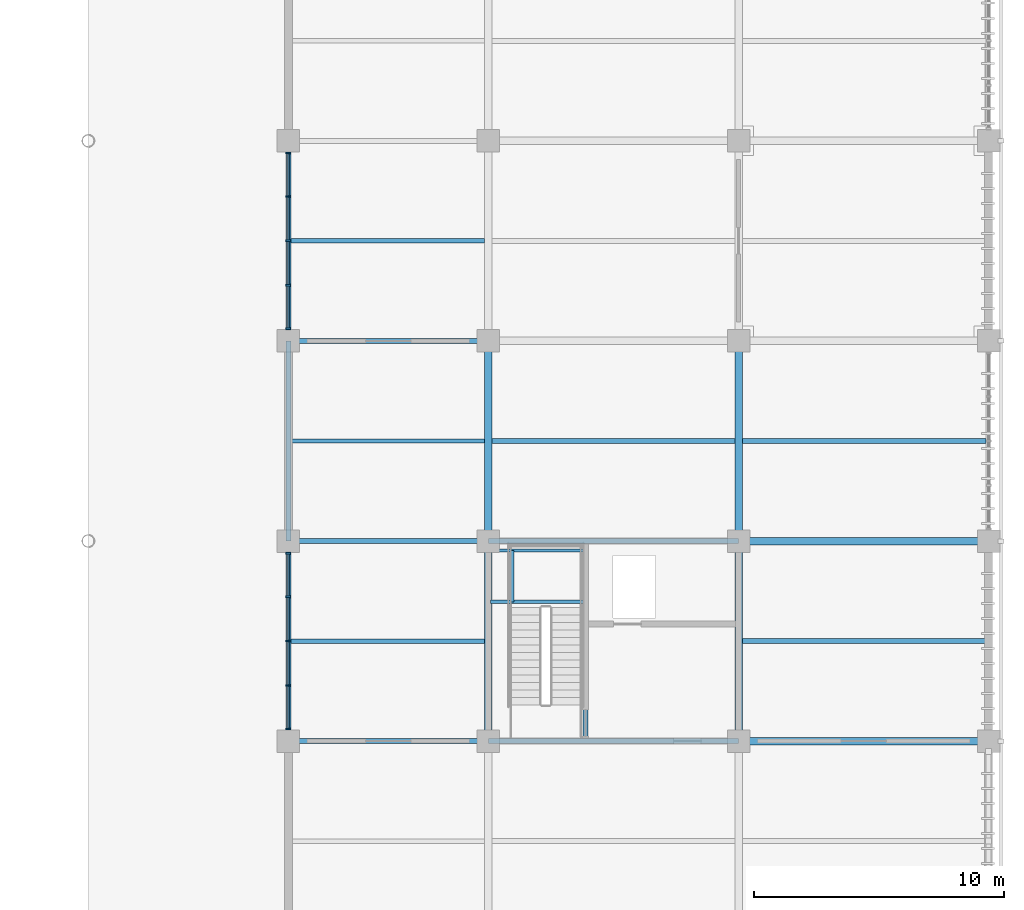
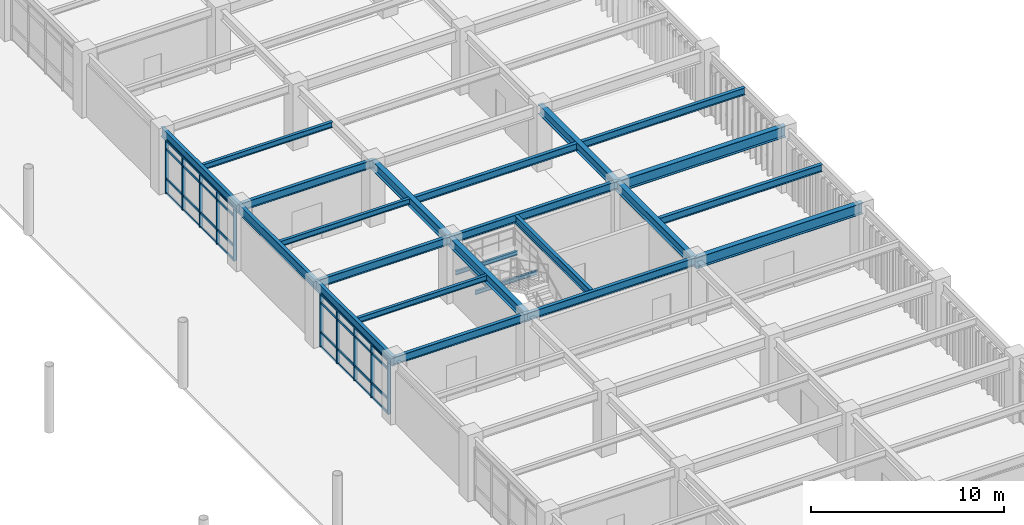
# One storey, part 45 of 118: 42 members, 24 beams, 2 elements without a shape of their own.
"""IFC4 building model written with IfcOpenShell, lengths in metres."""

from ifc_helpers import new_model, si_unit, direction, frame, origin, origin_2d, place, context, subcontext, project, spatial, rectangle, i_section, extrude, material, layer, layer_set, material_profile, profile_set, type_object, element, aggregate, save


model = new_model("IFC4")

# Units and contexts
model_context = context("Model", 3, precision=1e-05, world=origin(), true_north=direction((0.0, 1.0)))
body_context = subcontext(model_context, "Body", "Model", "MODEL_VIEW")
ifc_project = project(units=[si_unit("LENGTHUNIT", "METRE"), si_unit("AREAUNIT", "SQUARE_METRE"), si_unit("VOLUMEUNIT", "CUBIC_METRE"), si_unit("PLANEANGLEUNIT", "RADIAN"), si_unit("MASSUNIT", "GRAM", prefix="KILO")], contexts=[model_context])

# Site, building, storey
site_placement = place(None, origin())
site = spatial("IfcSite", under=ifc_project, at=site_placement, CompositionType="ELEMENT")
building_placement = place(site_placement, origin())
building = spatial("IfcBuilding", under=site, at=building_placement, Name="Haebicheon Civic Stadium", CompositionType="ELEMENT")
storey_placement = place(building_placement, frame((0.0, 0.0, 14.39990234375)))
storey = spatial("IfcBuildingStorey", under=building, at=storey_placement, Name="L04", CompositionType="ELEMENT", Elevation=14.39990234375)

# Beams
ifc_material_1 = material(Name="Steel SM355 (S355)", Category="steel")
ifc_material_profile_1 = material_profile(ifc_material_1, i_section(OverallWidth=0.199951171875, OverallDepth=0.5, WebThickness=0.010009765625, FlangeThickness=0.01611328125, at=origin_2d()), Name="H-500x200x10x16")
ifc_profile_set_1 = profile_set([ifc_material_profile_1], Name="Steel SM355 (S355)")
beam_type_1 = type_object("IfcBeamType", Name="BM-ST-H500", PredefinedType="BEAM", material=ifc_profile_set_1)
for number, where, z_axis, x_axis, name in (
    (1, (208.0, 64.0, 3.690185546875), (1.0, 0.0, 0.0), (0.0, 1.0, 0.0), "L04 beam J/27-28"),
    (2, (208.0, 72.0, 3.690185546875), (1.0, 0.0, 0.0), (0.0, 1.0, 0.0), "L04 beam K/27-28"),
    (3, (208.0, 80.0, 3.690185546875), (1.0, 0.0, 0.0), (0.0, 1.0, 0.0), "L04 beam L/27-28"),
):
    element("IfcBeam", number, at=place(storey_placement, frame(where, z_axis=z_axis, x_axis=x_axis)), inside=storey, type_object=beam_type_1, material=ifc_profile_set_1, Name=name, PredefinedType="BEAM", context=body_context, shape_type="SweptSolid", body=[
        extrude(i_section(OverallWidth=0.199951171875, OverallDepth=0.5, WebThickness=0.010009765625, FlangeThickness=0.01611328125, at=origin_2d()), origin(), (0.0, 0.0, 1.0), 8.0),
    ])
for number, where, z_axis, x_axis, name in (
    (4, (216.0, 64.0, 3.690185546875), (1.0, 0.0, 0.0), (0.0, 1.0, 0.0), "L04 beam J/28-29"),
    (5, (216.0, 72.0, 3.690185546875), (1.0, 0.0, 0.0), (0.0, 1.0, 0.0), "L04 beam K/28-29"),
):
    element("IfcBeam", number, at=place(storey_placement, frame(where, z_axis=z_axis, x_axis=x_axis)), inside=storey, type_object=beam_type_1, material=ifc_profile_set_1, Name=name, PredefinedType="BEAM", context=body_context, shape_type="SweptSolid", body=[
        extrude(i_section(OverallWidth=0.199951171875, OverallDepth=0.5, WebThickness=0.010009765625, FlangeThickness=0.01611328125, at=origin_2d()), origin(), (0.0, 0.0, 1.0), 10.0),
    ])
beam_1_placement = place(storey_placement, frame((219.8798828125, 64.10009765625, 3.690185546875), z_axis=(0.0, 1.0, 0.0), x_axis=(-1.0, 0.0, 0.0)))
element("IfcBeam", 6, at=beam_1_placement, inside=storey, type_object=beam_type_1, material=ifc_profile_set_1, Name="L04 KC-12 core dividing wall support beam", PredefinedType="BEAM", context=body_context, shape_type="SweptSolid", body=[
    extrude(i_section(OverallWidth=0.199951171875, OverallDepth=0.5, WebThickness=0.010009765625, FlangeThickness=0.01611328125, at=origin_2d()), origin(), (0.0, 0.0, 1.0), 7.7998046875),
])
ifc_material_2 = material(Name="Steel SM355 (S355)", Category="steel")
ifc_material_profile_2 = material_profile(ifc_material_2, i_section(OverallWidth=0.300048828125, OverallDepth=0.60009765625, WebThickness=0.011962890625, FlangeThickness=0.02001953125, at=origin_2d()), Name="H-600x300x12x20")
ifc_profile_set_2 = profile_set([ifc_material_profile_2], Name="Steel SM355 (S355)")
beam_type_2 = type_object("IfcBeamType", Name="BM-ST-H600A", PredefinedType="BEAM", material=ifc_profile_set_2)
for number, where, z_axis, x_axis, name in (
    (7, (216.0, 64.0, 3.64013671875), (0.0, 1.0, 0.0), (-1.0, 0.0, 0.0), "L04 girder 28/J-K"),
    (8, (216.0, 72.0, 3.64013671875), (0.0, 1.0, 0.0), (-1.0, 0.0, 0.0), "L04 girder 28/K-L"),
    (9, (226.0, 64.0, 3.64013671875), (0.0, 1.0, 0.0), (-1.0, 0.0, 0.0), "L04 girder 29/J-K"),
    (10, (226.0, 72.0, 3.64013671875), (0.0, 1.0, 0.0), (-1.0, 0.0, 0.0), "L04 girder 29/K-L"),
):
    element("IfcBeam", number, at=place(storey_placement, frame(where, z_axis=z_axis, x_axis=x_axis)), inside=storey, type_object=beam_type_2, material=ifc_profile_set_2, Name=name, PredefinedType="BEAM", context=body_context, shape_type="SweptSolid", body=[
        extrude(i_section(OverallWidth=0.300048828125, OverallDepth=0.60009765625, WebThickness=0.011962890625, FlangeThickness=0.02001953125, at=origin_2d()), origin(), (0.0, 0.0, 1.0), 8.0),
    ])
ifc_material_3 = material(Name="Steel SM490", Category="steel")
ifc_material_profile_3 = material_profile(ifc_material_3, i_section(OverallWidth=0.300048828125, OverallDepth=0.699951171875, WebThickness=0.012939453125, FlangeThickness=0.02392578125, at=origin_2d()), Name="H-700x300x13x24")
ifc_profile_set_3 = profile_set([ifc_material_profile_3], Name="Steel SM490")
beam_type_3 = type_object("IfcBeamType", Name="BM-ST-H700", PredefinedType="BEAM", material=ifc_profile_set_3)
for number, where, z_axis, x_axis, name in (
    (11, (226.0, 64.0, 3.590087890625), (1.0, 0.0, 0.0), (0.0, 1.0, 0.0), "L04 beam J/29-30"),
    (12, (226.0, 72.0, 3.590087890625), (1.0, 0.0, 0.0), (0.0, 1.0, 0.0), "L04 beam K/29-30"),
):
    element("IfcBeam", number, at=place(storey_placement, frame(where, z_axis=z_axis, x_axis=x_axis)), inside=storey, type_object=beam_type_3, material=ifc_profile_set_3, Name=name, PredefinedType="BEAM", context=body_context, shape_type="SweptSolid", body=[
        extrude(i_section(OverallWidth=0.300048828125, OverallDepth=0.699951171875, WebThickness=0.012939453125, FlangeThickness=0.02392578125, at=origin_2d()), origin(), (0.0, 0.0, 1.0), 10.0),
    ])

# Curtain wall, members
ifc_material_4 = material(Name="Anodised aluminium and laminated glass", Category="aluminium")
ifc_layer = layer(ifc_material_4, 0.179931640625, Name="Anodised aluminium and laminated glass")
ifc_layer_set = layer_set([ifc_layer], Name="Anodised aluminium and laminated glass")
curtain_wall_type = type_object("IfcCurtainWallType", Name="CW-7100x3330", PredefinedType="NOTDEFINED", material=ifc_layer_set)
curtain_wall_1_placement = place(storey_placement, origin())
curtain_wall_1 = element("IfcCurtainWall", 13, at=curtain_wall_1_placement, inside=storey, type_object=curtain_wall_type, material=ifc_layer_set, Name="L04 unitised curtain wall 170", PredefinedType="NOTDEFINED")
ifc_material_5 = material(Name="Anodised aluminium 6063-T6", Category="aluminium")
ifc_material_profile_4 = material_profile(ifc_material_5, rectangle(XDim=0.070068359375, YDim=0.199951171875, at=origin_2d()), Name="ALU-MULL-70x200")
ifc_profile_set_4 = profile_set([ifc_material_profile_4], Name="Anodised aluminium 6063-T6")
member_type_1 = type_object("IfcMemberType", Name="CWM-200x70", PredefinedType="MULLION", material=ifc_profile_set_4)
member_1_placement = place(storey_placement, frame((208.0, 64.485107421875, 0.0), z_axis=(0.0, 0.0, 1.0), x_axis=(0.0, 1.0, 0.0)))
member_1 = element("IfcMember", 14, at=member_1_placement, type_object=member_type_1, material=ifc_profile_set_4, Name="CW-L04-170 vertical mullion 1", PredefinedType="MULLION", context=body_context, shape_type="SweptSolid", body=[
    extrude(rectangle(XDim=0.070068359375, YDim=0.199951171875, at=origin_2d()), origin(), (0.0, 0.0, 1.0), 3.330078125),
])
member_2_placement = place(storey_placement, frame((208.0, 66.22509765625, 0.0), z_axis=(0.0, 0.0, 1.0), x_axis=(0.0, 1.0, 0.0)))
member_2 = element("IfcMember", 15, at=member_2_placement, type_object=member_type_1, material=ifc_profile_set_4, Name="CW-L04-170 vertical mullion 2", PredefinedType="MULLION", context=body_context, shape_type="SweptSolid", body=[
    extrude(rectangle(XDim=0.070068359375, YDim=0.199951171875, at=origin_2d()), origin(), (0.0, 0.0, 1.0), 3.330078125),
])
member_3_placement = place(storey_placement, frame((208.0, 68.0, 0.0), z_axis=(0.0, 0.0, 1.0), x_axis=(0.0, 1.0, 0.0)))
member_3 = element("IfcMember", 16, at=member_3_placement, type_object=member_type_1, material=ifc_profile_set_4, Name="CW-L04-170 vertical mullion 3", PredefinedType="MULLION", context=body_context, shape_type="SweptSolid", body=[
    extrude(rectangle(XDim=0.070068359375, YDim=0.199951171875, at=origin_2d()), origin(), (0.0, 0.0, 1.0), 3.330078125),
])
member_4_placement = place(storey_placement, frame((208.0, 69.77490234375, 0.0), z_axis=(0.0, 0.0, 1.0), x_axis=(0.0, 1.0, 0.0)))
member_4 = element("IfcMember", 17, at=member_4_placement, type_object=member_type_1, material=ifc_profile_set_4, Name="CW-L04-170 vertical mullion 4", PredefinedType="MULLION", context=body_context, shape_type="SweptSolid", body=[
    extrude(rectangle(XDim=0.070068359375, YDim=0.199951171875, at=origin_2d()), origin(), (0.0, 0.0, 1.0), 3.330078125),
])
member_5_placement = place(storey_placement, frame((208.0, 71.514892578125, 0.0), z_axis=(0.0, 0.0, 1.0), x_axis=(0.0, 1.0, 0.0)))
member_5 = element("IfcMember", 18, at=member_5_placement, type_object=member_type_1, material=ifc_profile_set_4, Name="CW-L04-170 vertical mullion 5", PredefinedType="MULLION", context=body_context, shape_type="SweptSolid", body=[
    extrude(rectangle(XDim=0.070068359375, YDim=0.199951171875, at=origin_2d()), origin(), (0.0, 0.0, 1.0), 3.330078125),
])

curtain_wall_2_placement = place(storey_placement, origin())
curtain_wall_2 = element("IfcCurtainWall", 19, at=curtain_wall_2_placement, inside=storey, type_object=curtain_wall_type, material=ifc_layer_set, Name="L04 unitised curtain wall 171", PredefinedType="NOTDEFINED")
member_6_placement = place(storey_placement, frame((208.0, 80.485107421875, 0.0), z_axis=(0.0, 0.0, 1.0), x_axis=(0.0, 1.0, 0.0)))
member_6 = element("IfcMember", 20, at=member_6_placement, type_object=member_type_1, material=ifc_profile_set_4, Name="CW-L04-171 vertical mullion 1", PredefinedType="MULLION", context=body_context, shape_type="SweptSolid", body=[
    extrude(rectangle(XDim=0.070068359375, YDim=0.199951171875, at=origin_2d()), origin(), (0.0, 0.0, 1.0), 3.330078125),
])
member_7_placement = place(storey_placement, frame((208.0, 82.22509765625, 0.0), z_axis=(0.0, 0.0, 1.0), x_axis=(0.0, 1.0, 0.0)))
member_7 = element("IfcMember", 21, at=member_7_placement, type_object=member_type_1, material=ifc_profile_set_4, Name="CW-L04-171 vertical mullion 2", PredefinedType="MULLION", context=body_context, shape_type="SweptSolid", body=[
    extrude(rectangle(XDim=0.070068359375, YDim=0.199951171875, at=origin_2d()), origin(), (0.0, 0.0, 1.0), 3.330078125),
])
member_8_placement = place(storey_placement, frame((208.0, 84.0, 0.0), z_axis=(0.0, 0.0, 1.0), x_axis=(0.0, 1.0, 0.0)))
member_8 = element("IfcMember", 22, at=member_8_placement, type_object=member_type_1, material=ifc_profile_set_4, Name="CW-L04-171 vertical mullion 3", PredefinedType="MULLION", context=body_context, shape_type="SweptSolid", body=[
    extrude(rectangle(XDim=0.070068359375, YDim=0.199951171875, at=origin_2d()), origin(), (0.0, 0.0, 1.0), 3.330078125),
])
member_9_placement = place(storey_placement, frame((208.0, 85.77490234375, 0.0), z_axis=(0.0, 0.0, 1.0), x_axis=(0.0, 1.0, 0.0)))
member_9 = element("IfcMember", 23, at=member_9_placement, type_object=member_type_1, material=ifc_profile_set_4, Name="CW-L04-171 vertical mullion 4", PredefinedType="MULLION", context=body_context, shape_type="SweptSolid", body=[
    extrude(rectangle(XDim=0.070068359375, YDim=0.199951171875, at=origin_2d()), origin(), (0.0, 0.0, 1.0), 3.330078125),
])
member_10_placement = place(storey_placement, frame((208.0, 87.514892578125, 0.0), z_axis=(0.0, 0.0, 1.0), x_axis=(0.0, 1.0, 0.0)))
member_10 = element("IfcMember", 24, at=member_10_placement, type_object=member_type_1, material=ifc_profile_set_4, Name="CW-L04-171 vertical mullion 5", PredefinedType="MULLION", context=body_context, shape_type="SweptSolid", body=[
    extrude(rectangle(XDim=0.070068359375, YDim=0.199951171875, at=origin_2d()), origin(), (0.0, 0.0, 1.0), 3.330078125),
])

# Member
ifc_material_6 = material(Name="Anodised aluminium 6063-T6", Category="aluminium")
ifc_material_profile_5 = material_profile(ifc_material_6, rectangle(XDim=0.070068359375, YDim=0.14990234375, at=origin_2d()), Name="ALU-TRAN-70x150")
ifc_profile_set_5 = profile_set([ifc_material_profile_5], Name="Anodised aluminium 6063-T6")
member_type_2 = type_object("IfcMemberType", Name="CWT-150x70", PredefinedType="NOTDEFINED", material=ifc_profile_set_5)
member_11_placement = place(storey_placement, frame((208.0, 64.52001953125, 0.0), z_axis=(0.0, 1.0, 0.0), x_axis=(-1.0, 0.0, 0.0)))
member_11 = element("IfcMember", 25, at=member_11_placement, type_object=member_type_2, material=ifc_profile_set_5, Name="CW-L04-170 horizontal transom 1.1", ObjectType="TRANSOM", PredefinedType="USERDEFINED", context=body_context, shape_type="SweptSolid", body=[
    extrude(rectangle(XDim=0.070068359375, YDim=0.14990234375, at=origin_2d()), origin(), (0.0, 0.0, 1.0), 1.669921875),
])

member_12_placement = place(storey_placement, frame((208.0, 64.52001953125, 0.900146484375), z_axis=(0.0, 1.0, 0.0), x_axis=(-1.0, 0.0, 0.0)))
member_12 = element("IfcMember", 26, at=member_12_placement, type_object=member_type_2, material=ifc_profile_set_5, Name="CW-L04-170 horizontal transom 1.2", ObjectType="TRANSOM", PredefinedType="USERDEFINED", context=body_context, shape_type="SweptSolid", body=[
    extrude(rectangle(XDim=0.070068359375, YDim=0.14990234375, at=origin_2d()), origin(), (0.0, 0.0, 1.0), 1.669921875),
])

member_13_placement = place(storey_placement, frame((208.0, 64.52001953125, 2.780029296875), z_axis=(0.0, 1.0, 0.0), x_axis=(-1.0, 0.0, 0.0)))
member_13 = element("IfcMember", 27, at=member_13_placement, type_object=member_type_2, material=ifc_profile_set_5, Name="CW-L04-170 horizontal transom 1.3", ObjectType="TRANSOM", PredefinedType="USERDEFINED", context=body_context, shape_type="SweptSolid", body=[
    extrude(rectangle(XDim=0.070068359375, YDim=0.14990234375, at=origin_2d()), origin(), (0.0, 0.0, 1.0), 1.669921875),
])

member_14_placement = place(storey_placement, frame((208.0, 64.52001953125, 3.330078125), z_axis=(0.0, 1.0, 0.0), x_axis=(-1.0, 0.0, 0.0)))
member_14 = element("IfcMember", 28, at=member_14_placement, type_object=member_type_2, material=ifc_profile_set_5, Name="CW-L04-170 horizontal transom 1.4", ObjectType="TRANSOM", PredefinedType="USERDEFINED", context=body_context, shape_type="SweptSolid", body=[
    extrude(rectangle(XDim=0.070068359375, YDim=0.14990234375, at=origin_2d()), origin(), (0.0, 0.0, 1.0), 1.669921875),
])

member_15_placement = place(storey_placement, frame((208.0, 66.260009765625, 0.0), z_axis=(0.0, 1.0, 0.0), x_axis=(-1.0, 0.0, 0.0)))
member_15 = element("IfcMember", 29, at=member_15_placement, type_object=member_type_2, material=ifc_profile_set_5, Name="CW-L04-170 horizontal transom 2.1", ObjectType="TRANSOM", PredefinedType="USERDEFINED", context=body_context, shape_type="SweptSolid", body=[
    extrude(rectangle(XDim=0.070068359375, YDim=0.14990234375, at=origin_2d()), origin(), (0.0, 0.0, 1.0), 1.705078125),
])

member_16_placement = place(storey_placement, frame((208.0, 66.260009765625, 0.900146484375), z_axis=(0.0, 1.0, 0.0), x_axis=(-1.0, 0.0, 0.0)))
member_16 = element("IfcMember", 30, at=member_16_placement, type_object=member_type_2, material=ifc_profile_set_5, Name="CW-L04-170 horizontal transom 2.2", ObjectType="TRANSOM", PredefinedType="USERDEFINED", context=body_context, shape_type="SweptSolid", body=[
    extrude(rectangle(XDim=0.070068359375, YDim=0.14990234375, at=origin_2d()), origin(), (0.0, 0.0, 1.0), 1.705078125),
])

member_17_placement = place(storey_placement, frame((208.0, 66.260009765625, 2.780029296875), z_axis=(0.0, 1.0, 0.0), x_axis=(-1.0, 0.0, 0.0)))
member_17 = element("IfcMember", 31, at=member_17_placement, type_object=member_type_2, material=ifc_profile_set_5, Name="CW-L04-170 horizontal transom 2.3", ObjectType="TRANSOM", PredefinedType="USERDEFINED", context=body_context, shape_type="SweptSolid", body=[
    extrude(rectangle(XDim=0.070068359375, YDim=0.14990234375, at=origin_2d()), origin(), (0.0, 0.0, 1.0), 1.705078125),
])

member_18_placement = place(storey_placement, frame((208.0, 66.260009765625, 3.330078125), z_axis=(0.0, 1.0, 0.0), x_axis=(-1.0, 0.0, 0.0)))
member_18 = element("IfcMember", 32, at=member_18_placement, type_object=member_type_2, material=ifc_profile_set_5, Name="CW-L04-170 horizontal transom 2.4", ObjectType="TRANSOM", PredefinedType="USERDEFINED", context=body_context, shape_type="SweptSolid", body=[
    extrude(rectangle(XDim=0.070068359375, YDim=0.14990234375, at=origin_2d()), origin(), (0.0, 0.0, 1.0), 1.705078125),
])

member_19_placement = place(storey_placement, frame((208.0, 68.034912109375, 0.0), z_axis=(0.0, 1.0, 0.0), x_axis=(-1.0, 0.0, 0.0)))
member_19 = element("IfcMember", 33, at=member_19_placement, type_object=member_type_2, material=ifc_profile_set_5, Name="CW-L04-170 horizontal transom 3.1", ObjectType="TRANSOM", PredefinedType="USERDEFINED", context=body_context, shape_type="SweptSolid", body=[
    extrude(rectangle(XDim=0.070068359375, YDim=0.14990234375, at=origin_2d()), origin(), (0.0, 0.0, 1.0), 1.705078125),
])

member_20_placement = place(storey_placement, frame((208.0, 68.034912109375, 0.900146484375), z_axis=(0.0, 1.0, 0.0), x_axis=(-1.0, 0.0, 0.0)))
member_20 = element("IfcMember", 34, at=member_20_placement, type_object=member_type_2, material=ifc_profile_set_5, Name="CW-L04-170 horizontal transom 3.2", ObjectType="TRANSOM", PredefinedType="USERDEFINED", context=body_context, shape_type="SweptSolid", body=[
    extrude(rectangle(XDim=0.070068359375, YDim=0.14990234375, at=origin_2d()), origin(), (0.0, 0.0, 1.0), 1.705078125),
])

member_21_placement = place(storey_placement, frame((208.0, 68.034912109375, 2.780029296875), z_axis=(0.0, 1.0, 0.0), x_axis=(-1.0, 0.0, 0.0)))
member_21 = element("IfcMember", 35, at=member_21_placement, type_object=member_type_2, material=ifc_profile_set_5, Name="CW-L04-170 horizontal transom 3.3", ObjectType="TRANSOM", PredefinedType="USERDEFINED", context=body_context, shape_type="SweptSolid", body=[
    extrude(rectangle(XDim=0.070068359375, YDim=0.14990234375, at=origin_2d()), origin(), (0.0, 0.0, 1.0), 1.705078125),
])

member_22_placement = place(storey_placement, frame((208.0, 68.034912109375, 3.330078125), z_axis=(0.0, 1.0, 0.0), x_axis=(-1.0, 0.0, 0.0)))
member_22 = element("IfcMember", 36, at=member_22_placement, type_object=member_type_2, material=ifc_profile_set_5, Name="CW-L04-170 horizontal transom 3.4", ObjectType="TRANSOM", PredefinedType="USERDEFINED", context=body_context, shape_type="SweptSolid", body=[
    extrude(rectangle(XDim=0.070068359375, YDim=0.14990234375, at=origin_2d()), origin(), (0.0, 0.0, 1.0), 1.705078125),
])

member_23_placement = place(storey_placement, frame((208.0, 69.81005859375, 0.0), z_axis=(0.0, 1.0, 0.0), x_axis=(-1.0, 0.0, 0.0)))
member_23 = element("IfcMember", 37, at=member_23_placement, type_object=member_type_2, material=ifc_profile_set_5, Name="CW-L04-170 horizontal transom 4.1", ObjectType="TRANSOM", PredefinedType="USERDEFINED", context=body_context, shape_type="SweptSolid", body=[
    extrude(rectangle(XDim=0.070068359375, YDim=0.14990234375, at=origin_2d()), origin(), (0.0, 0.0, 1.0), 1.669921875),
])

member_24_placement = place(storey_placement, frame((208.0, 69.81005859375, 0.900146484375), z_axis=(0.0, 1.0, 0.0), x_axis=(-1.0, 0.0, 0.0)))
member_24 = element("IfcMember", 38, at=member_24_placement, type_object=member_type_2, material=ifc_profile_set_5, Name="CW-L04-170 horizontal transom 4.2", ObjectType="TRANSOM", PredefinedType="USERDEFINED", context=body_context, shape_type="SweptSolid", body=[
    extrude(rectangle(XDim=0.070068359375, YDim=0.14990234375, at=origin_2d()), origin(), (0.0, 0.0, 1.0), 1.669921875),
])

member_25_placement = place(storey_placement, frame((208.0, 69.81005859375, 2.780029296875), z_axis=(0.0, 1.0, 0.0), x_axis=(-1.0, 0.0, 0.0)))
member_25 = element("IfcMember", 39, at=member_25_placement, type_object=member_type_2, material=ifc_profile_set_5, Name="CW-L04-170 horizontal transom 4.3", ObjectType="TRANSOM", PredefinedType="USERDEFINED", context=body_context, shape_type="SweptSolid", body=[
    extrude(rectangle(XDim=0.070068359375, YDim=0.14990234375, at=origin_2d()), origin(), (0.0, 0.0, 1.0), 1.669921875),
])

member_26_placement = place(storey_placement, frame((208.0, 69.81005859375, 3.330078125), z_axis=(0.0, 1.0, 0.0), x_axis=(-1.0, 0.0, 0.0)))
member_26 = element("IfcMember", 40, at=member_26_placement, type_object=member_type_2, material=ifc_profile_set_5, Name="CW-L04-170 horizontal transom 4.4", ObjectType="TRANSOM", PredefinedType="USERDEFINED", context=body_context, shape_type="SweptSolid", body=[
    extrude(rectangle(XDim=0.070068359375, YDim=0.14990234375, at=origin_2d()), origin(), (0.0, 0.0, 1.0), 1.669921875),
])

aggregate(curtain_wall_1, [member_1, member_2, member_3, member_4, member_5, member_11, member_12, member_13, member_14, member_15, member_16, member_17, member_18, member_19, member_20, member_21, member_22, member_23, member_24, member_25, member_26])

member_27_placement = place(storey_placement, frame((208.0, 80.52001953125, 0.0), z_axis=(0.0, 1.0, 0.0), x_axis=(-1.0, 0.0, 0.0)))
member_27 = element("IfcMember", 41, at=member_27_placement, type_object=member_type_2, material=ifc_profile_set_5, Name="CW-L04-171 horizontal transom 1.1", ObjectType="TRANSOM", PredefinedType="USERDEFINED", context=body_context, shape_type="SweptSolid", body=[
    extrude(rectangle(XDim=0.070068359375, YDim=0.14990234375, at=origin_2d()), origin(), (0.0, 0.0, 1.0), 1.669921875),
])

member_28_placement = place(storey_placement, frame((208.0, 80.52001953125, 0.900146484375), z_axis=(0.0, 1.0, 0.0), x_axis=(-1.0, 0.0, 0.0)))
member_28 = element("IfcMember", 42, at=member_28_placement, type_object=member_type_2, material=ifc_profile_set_5, Name="CW-L04-171 horizontal transom 1.2", ObjectType="TRANSOM", PredefinedType="USERDEFINED", context=body_context, shape_type="SweptSolid", body=[
    extrude(rectangle(XDim=0.070068359375, YDim=0.14990234375, at=origin_2d()), origin(), (0.0, 0.0, 1.0), 1.669921875),
])

member_29_placement = place(storey_placement, frame((208.0, 80.52001953125, 2.780029296875), z_axis=(0.0, 1.0, 0.0), x_axis=(-1.0, 0.0, 0.0)))
member_29 = element("IfcMember", 43, at=member_29_placement, type_object=member_type_2, material=ifc_profile_set_5, Name="CW-L04-171 horizontal transom 1.3", ObjectType="TRANSOM", PredefinedType="USERDEFINED", context=body_context, shape_type="SweptSolid", body=[
    extrude(rectangle(XDim=0.070068359375, YDim=0.14990234375, at=origin_2d()), origin(), (0.0, 0.0, 1.0), 1.669921875),
])

member_30_placement = place(storey_placement, frame((208.0, 80.52001953125, 3.330078125), z_axis=(0.0, 1.0, 0.0), x_axis=(-1.0, 0.0, 0.0)))
member_30 = element("IfcMember", 44, at=member_30_placement, type_object=member_type_2, material=ifc_profile_set_5, Name="CW-L04-171 horizontal transom 1.4", ObjectType="TRANSOM", PredefinedType="USERDEFINED", context=body_context, shape_type="SweptSolid", body=[
    extrude(rectangle(XDim=0.070068359375, YDim=0.14990234375, at=origin_2d()), origin(), (0.0, 0.0, 1.0), 1.669921875),
])

member_31_placement = place(storey_placement, frame((208.0, 82.260009765625, 0.0), z_axis=(0.0, 1.0, 0.0), x_axis=(-1.0, 0.0, 0.0)))
member_31 = element("IfcMember", 45, at=member_31_placement, type_object=member_type_2, material=ifc_profile_set_5, Name="CW-L04-171 horizontal transom 2.1", ObjectType="TRANSOM", PredefinedType="USERDEFINED", context=body_context, shape_type="SweptSolid", body=[
    extrude(rectangle(XDim=0.070068359375, YDim=0.14990234375, at=origin_2d()), origin(), (0.0, 0.0, 1.0), 1.705078125),
])

member_32_placement = place(storey_placement, frame((208.0, 82.260009765625, 0.900146484375), z_axis=(0.0, 1.0, 0.0), x_axis=(-1.0, 0.0, 0.0)))
member_32 = element("IfcMember", 46, at=member_32_placement, type_object=member_type_2, material=ifc_profile_set_5, Name="CW-L04-171 horizontal transom 2.2", ObjectType="TRANSOM", PredefinedType="USERDEFINED", context=body_context, shape_type="SweptSolid", body=[
    extrude(rectangle(XDim=0.070068359375, YDim=0.14990234375, at=origin_2d()), origin(), (0.0, 0.0, 1.0), 1.705078125),
])

member_33_placement = place(storey_placement, frame((208.0, 82.260009765625, 2.780029296875), z_axis=(0.0, 1.0, 0.0), x_axis=(-1.0, 0.0, 0.0)))
member_33 = element("IfcMember", 47, at=member_33_placement, type_object=member_type_2, material=ifc_profile_set_5, Name="CW-L04-171 horizontal transom 2.3", ObjectType="TRANSOM", PredefinedType="USERDEFINED", context=body_context, shape_type="SweptSolid", body=[
    extrude(rectangle(XDim=0.070068359375, YDim=0.14990234375, at=origin_2d()), origin(), (0.0, 0.0, 1.0), 1.705078125),
])

member_34_placement = place(storey_placement, frame((208.0, 82.260009765625, 3.330078125), z_axis=(0.0, 1.0, 0.0), x_axis=(-1.0, 0.0, 0.0)))
member_34 = element("IfcMember", 48, at=member_34_placement, type_object=member_type_2, material=ifc_profile_set_5, Name="CW-L04-171 horizontal transom 2.4", ObjectType="TRANSOM", PredefinedType="USERDEFINED", context=body_context, shape_type="SweptSolid", body=[
    extrude(rectangle(XDim=0.070068359375, YDim=0.14990234375, at=origin_2d()), origin(), (0.0, 0.0, 1.0), 1.705078125),
])

member_35_placement = place(storey_placement, frame((208.0, 84.034912109375, 0.0), z_axis=(0.0, 1.0, 0.0), x_axis=(-1.0, 0.0, 0.0)))
member_35 = element("IfcMember", 49, at=member_35_placement, type_object=member_type_2, material=ifc_profile_set_5, Name="CW-L04-171 horizontal transom 3.1", ObjectType="TRANSOM", PredefinedType="USERDEFINED", context=body_context, shape_type="SweptSolid", body=[
    extrude(rectangle(XDim=0.070068359375, YDim=0.14990234375, at=origin_2d()), origin(), (0.0, 0.0, 1.0), 1.705078125),
])

member_36_placement = place(storey_placement, frame((208.0, 84.034912109375, 0.900146484375), z_axis=(0.0, 1.0, 0.0), x_axis=(-1.0, 0.0, 0.0)))
member_36 = element("IfcMember", 50, at=member_36_placement, type_object=member_type_2, material=ifc_profile_set_5, Name="CW-L04-171 horizontal transom 3.2", ObjectType="TRANSOM", PredefinedType="USERDEFINED", context=body_context, shape_type="SweptSolid", body=[
    extrude(rectangle(XDim=0.070068359375, YDim=0.14990234375, at=origin_2d()), origin(), (0.0, 0.0, 1.0), 1.705078125),
])

member_37_placement = place(storey_placement, frame((208.0, 84.034912109375, 2.780029296875), z_axis=(0.0, 1.0, 0.0), x_axis=(-1.0, 0.0, 0.0)))
member_37 = element("IfcMember", 51, at=member_37_placement, type_object=member_type_2, material=ifc_profile_set_5, Name="CW-L04-171 horizontal transom 3.3", ObjectType="TRANSOM", PredefinedType="USERDEFINED", context=body_context, shape_type="SweptSolid", body=[
    extrude(rectangle(XDim=0.070068359375, YDim=0.14990234375, at=origin_2d()), origin(), (0.0, 0.0, 1.0), 1.705078125),
])

member_38_placement = place(storey_placement, frame((208.0, 84.034912109375, 3.330078125), z_axis=(0.0, 1.0, 0.0), x_axis=(-1.0, 0.0, 0.0)))
member_38 = element("IfcMember", 52, at=member_38_placement, type_object=member_type_2, material=ifc_profile_set_5, Name="CW-L04-171 horizontal transom 3.4", ObjectType="TRANSOM", PredefinedType="USERDEFINED", context=body_context, shape_type="SweptSolid", body=[
    extrude(rectangle(XDim=0.070068359375, YDim=0.14990234375, at=origin_2d()), origin(), (0.0, 0.0, 1.0), 1.705078125),
])

member_39_placement = place(storey_placement, frame((208.0, 85.81005859375, 0.0), z_axis=(0.0, 1.0, 0.0), x_axis=(-1.0, 0.0, 0.0)))
member_39 = element("IfcMember", 53, at=member_39_placement, type_object=member_type_2, material=ifc_profile_set_5, Name="CW-L04-171 horizontal transom 4.1", ObjectType="TRANSOM", PredefinedType="USERDEFINED", context=body_context, shape_type="SweptSolid", body=[
    extrude(rectangle(XDim=0.070068359375, YDim=0.14990234375, at=origin_2d()), origin(), (0.0, 0.0, 1.0), 1.669921875),
])

member_40_placement = place(storey_placement, frame((208.0, 85.81005859375, 0.900146484375), z_axis=(0.0, 1.0, 0.0), x_axis=(-1.0, 0.0, 0.0)))
member_40 = element("IfcMember", 54, at=member_40_placement, type_object=member_type_2, material=ifc_profile_set_5, Name="CW-L04-171 horizontal transom 4.2", ObjectType="TRANSOM", PredefinedType="USERDEFINED", context=body_context, shape_type="SweptSolid", body=[
    extrude(rectangle(XDim=0.070068359375, YDim=0.14990234375, at=origin_2d()), origin(), (0.0, 0.0, 1.0), 1.669921875),
])

member_41_placement = place(storey_placement, frame((208.0, 85.81005859375, 2.780029296875), z_axis=(0.0, 1.0, 0.0), x_axis=(-1.0, 0.0, 0.0)))
member_41 = element("IfcMember", 55, at=member_41_placement, type_object=member_type_2, material=ifc_profile_set_5, Name="CW-L04-171 horizontal transom 4.3", ObjectType="TRANSOM", PredefinedType="USERDEFINED", context=body_context, shape_type="SweptSolid", body=[
    extrude(rectangle(XDim=0.070068359375, YDim=0.14990234375, at=origin_2d()), origin(), (0.0, 0.0, 1.0), 1.669921875),
])

member_42_placement = place(storey_placement, frame((208.0, 85.81005859375, 3.330078125), z_axis=(0.0, 1.0, 0.0), x_axis=(-1.0, 0.0, 0.0)))
member_42 = element("IfcMember", 56, at=member_42_placement, type_object=member_type_2, material=ifc_profile_set_5, Name="CW-L04-171 horizontal transom 4.4", ObjectType="TRANSOM", PredefinedType="USERDEFINED", context=body_context, shape_type="SweptSolid", body=[
    extrude(rectangle(XDim=0.070068359375, YDim=0.14990234375, at=origin_2d()), origin(), (0.0, 0.0, 1.0), 1.669921875),
])

aggregate(curtain_wall_2, [member_6, member_7, member_8, member_9, member_10, member_27, member_28, member_29, member_30, member_31, member_32, member_33, member_34, member_35, member_36, member_37, member_38, member_39, member_40, member_41, member_42])

# Beams
ifc_material_7 = material(Name="Steel SM355 (S355)", Category="steel")
ifc_material_profile_6 = material_profile(ifc_material_7, i_section(OverallWidth=0.125, OverallDepth=0.25, WebThickness=0.006103515625, FlangeThickness=0.009033203125, at=origin_2d()), Name="H-250x125x6x9")
ifc_profile_set_6 = profile_set([ifc_material_profile_6], Name="Steel SM355 (S355)")
beam_type_4 = type_object("IfcBeamType", Name="JST-ST-H250", PredefinedType="JOIST", material=ifc_profile_set_6)
for number, where, z_axis, x_axis, name in (
    (57, (216.080078125, 69.570068359375, 1.772216796875), (1.0, 0.0, 0.0), (0.0, 1.0, 0.0), "KC-12 L04 stair half-landing front trimmer beam"),
    (58, (216.080078125, 71.6201171875, 1.772216796875), (1.0, 0.0, 0.0), (0.0, 1.0, 0.0), "KC-12 L04 stair half-landing rear trimmer beam"),
):
    element("IfcBeam", number, at=place(storey_placement, frame(where, z_axis=z_axis, x_axis=x_axis)), inside=storey, type_object=beam_type_4, material=ifc_profile_set_6, Name=name, PredefinedType="JOIST", context=body_context, shape_type="SweptSolid", body=[
        extrude(i_section(OverallWidth=0.125, OverallDepth=0.25, WebThickness=0.006103515625, FlangeThickness=0.009033203125, at=origin_2d()), origin(), (0.0, 0.0, 1.0), 3.719970703125),
    ])
beam_2_placement = place(storey_placement, frame((216.9599609375, 69.570068359375, 1.772216796875), z_axis=(0.0, 1.0, 0.0), x_axis=(-1.0, 0.0, 0.0)))
element("IfcBeam", 59, at=beam_2_placement, inside=storey, type_object=beam_type_4, material=ifc_profile_set_6, Name="KC-12 L04 stair half-landing transverse tie beam", PredefinedType="JOIST", context=body_context, shape_type="SweptSolid", body=[
    extrude(i_section(OverallWidth=0.125, OverallDepth=0.25, WebThickness=0.006103515625, FlangeThickness=0.009033203125, at=origin_2d()), origin(), (0.0, 0.0, 1.0), 2.050048828125),
])
ifc_material_8 = material(Name="Steel SM355 (S355)", Category="steel")
ifc_material_profile_7 = material_profile(ifc_material_8, i_section(OverallWidth=0.175048828125, OverallDepth=0.35009765625, WebThickness=0.007080078125, FlangeThickness=0.010986328125, at=origin_2d()), Name="H-350x175x7x11")
ifc_profile_set_7 = profile_set([ifc_material_profile_7], Name="Steel SM355 (S355)")
beam_type_5 = type_object("IfcBeamType", Name="JST-ST-H350", PredefinedType="JOIST", material=ifc_profile_set_7)
for number, where, z_axis, x_axis, name in (
    (60, (208.10009765625, 68.0, 3.76513671875), (1.0, 0.0, 0.0), (0.0, 1.0, 0.0), "L04 secondary joist 26-08"),
    (61, (208.10009765625, 76.0, 3.76513671875), (1.0, 0.0, 0.0), (0.0, 1.0, 0.0), "L04 secondary joist 26-09"),
    (62, (208.10009765625, 84.0, 3.76513671875), (1.0, 0.0, 0.0), (0.0, 1.0, 0.0), "L04 secondary joist 26-10"),
):
    element("IfcBeam", number, at=place(storey_placement, frame(where, z_axis=z_axis, x_axis=x_axis)), inside=storey, type_object=beam_type_5, material=ifc_profile_set_7, Name=name, PredefinedType="JOIST", context=body_context, shape_type="SweptSolid", body=[
        extrude(i_section(OverallWidth=0.175048828125, OverallDepth=0.35009765625, WebThickness=0.007080078125, FlangeThickness=0.010986328125, at=origin_2d()), origin(), (0.0, 0.0, 1.0), 7.75),
    ])
ifc_material_9 = material(Name="Steel SM355 (S355)", Category="steel")
ifc_material_profile_8 = material_profile(ifc_material_9, i_section(OverallWidth=0.199951171875, OverallDepth=0.449951171875, WebThickness=0.009033203125, FlangeThickness=0.013916015625, at=origin_2d()), Name="H-450x200x9x14")
ifc_profile_set_8 = profile_set([ifc_material_profile_8], Name="Steel SM355 (S355)")
beam_type_6 = type_object("IfcBeamType", Name="JST-ST-H450", PredefinedType="JOIST", material=ifc_profile_set_8)
beam_3_placement = place(storey_placement, frame((216.14990234375, 76.0, 3.715087890625), z_axis=(1.0, 0.0, 0.0), x_axis=(0.0, 1.0, 0.0)))
element("IfcBeam", 63, at=beam_3_placement, inside=storey, type_object=beam_type_6, material=ifc_profile_set_8, Name="L04 secondary joist 27-09", PredefinedType="JOIST", context=body_context, shape_type="SweptSolid", body=[
    extrude(i_section(OverallWidth=0.199951171875, OverallDepth=0.449951171875, WebThickness=0.009033203125, FlangeThickness=0.013916015625, at=origin_2d()), origin(), (0.0, 0.0, 1.0), 9.7001953125),
])
for number, where, z_axis, x_axis, name in (
    (64, (226.14990234375, 68.0, 3.715087890625), (1.0, 0.0, 0.0), (0.0, 1.0, 0.0), "L04 secondary joist 28-08"),
    (65, (226.14990234375, 76.0, 3.715087890625), (1.0, 0.0, 0.0), (0.0, 1.0, 0.0), "L04 secondary joist 28-09"),
):
    element("IfcBeam", number, at=place(storey_placement, frame(where, z_axis=z_axis, x_axis=x_axis)), inside=storey, type_object=beam_type_6, material=ifc_profile_set_8, Name=name, PredefinedType="JOIST", context=body_context, shape_type="SweptSolid", body=[
        extrude(i_section(OverallWidth=0.199951171875, OverallDepth=0.449951171875, WebThickness=0.009033203125, FlangeThickness=0.013916015625, at=origin_2d()), origin(), (0.0, 0.0, 1.0), 9.75),
    ])
ifc_material_10 = material(Name="Steel SM355 (S355)", Category="steel")
ifc_material_profile_9 = material_profile(ifc_material_10, i_section(OverallWidth=0.199951171875, OverallDepth=0.60009765625, WebThickness=0.010986328125, FlangeThickness=0.01708984375, at=origin_2d()), Name="H-600x200x11x17")
ifc_profile_set_9 = profile_set([ifc_material_profile_9], Name="Steel SM355 (S355)")
beam_type_7 = type_object("IfcBeamType", Name="SPD-ST-H600B", PredefinedType="SPANDREL", material=ifc_profile_set_9)
for number, where, z_axis, x_axis, name in (
    (66, (208.0, 64.0, 3.64013671875), (0.0, 1.0, 0.0), (-1.0, 0.0, 0.0), "L04 girder 27/J-K"),
    (67, (208.0, 72.0, 3.64013671875), (0.0, 1.0, 0.0), (-1.0, 0.0, 0.0), "L04 girder 27/K-L"),
    (68, (208.0, 80.0, 3.64013671875), (0.0, 1.0, 0.0), (-1.0, 0.0, 0.0), "L04 girder 27/L-M"),
):
    element("IfcBeam", number, at=place(storey_placement, frame(where, z_axis=z_axis, x_axis=x_axis)), inside=storey, type_object=beam_type_7, material=ifc_profile_set_9, Name=name, PredefinedType="SPANDREL", context=body_context, shape_type="SweptSolid", body=[
        extrude(i_section(OverallWidth=0.199951171875, OverallDepth=0.60009765625, WebThickness=0.010986328125, FlangeThickness=0.01708984375, at=origin_2d()), origin(), (0.0, 0.0, 1.0), 8.0),
    ])

save(model, "model.ifc")
